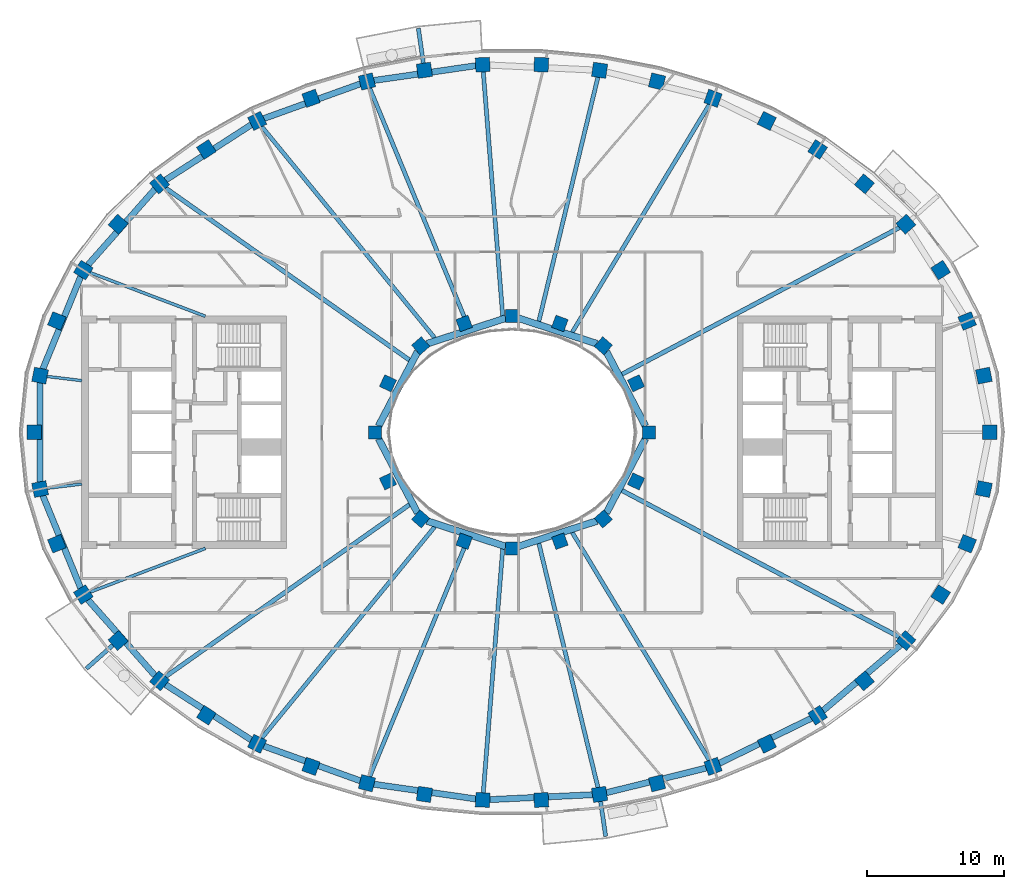
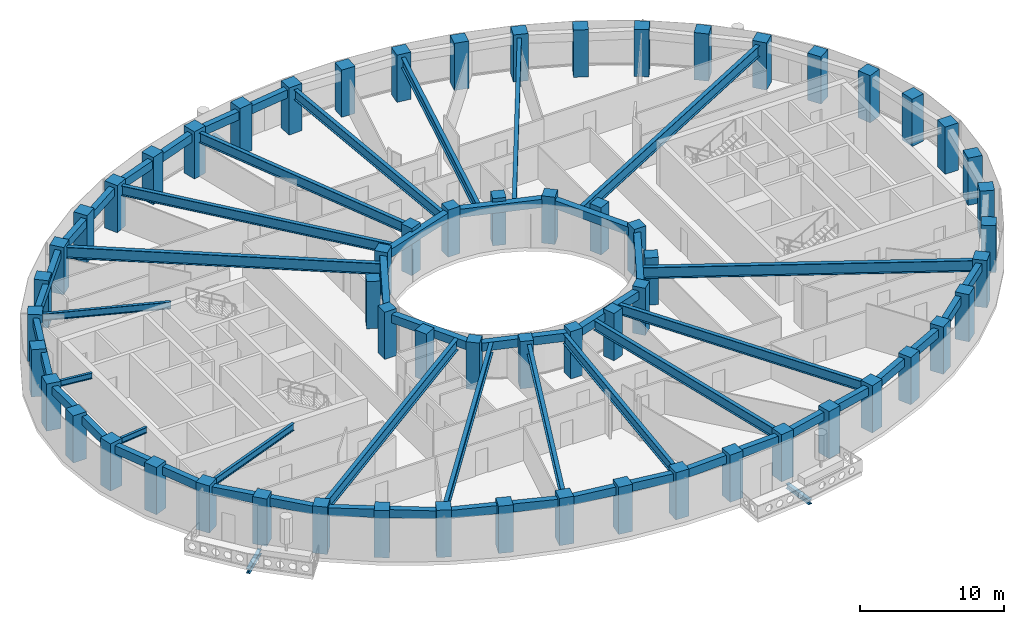
# One storey, part 1 of 17: 62 columns, 44 beams.
"""IFC4 building model written with IfcOpenShell, lengths in metres."""

from ifc_helpers import new_model, si_unit, direction, frame, origin, origin_2d, place, context, subcontext, project, spatial, rectangle, i_section, extrude, material, material_profile, profile_set, type_object, element, save


model = new_model("IFC4")

# Units and contexts
model_context = context("Model", 3, precision=1e-05, world=origin(), true_north=direction((0.0, 1.0)))
body_context = subcontext(model_context, "Body", "Model", "MODEL_VIEW")
ifc_project = project(units=[si_unit("LENGTHUNIT", "METRE"), si_unit("AREAUNIT", "SQUARE_METRE"), si_unit("VOLUMEUNIT", "CUBIC_METRE"), si_unit("PLANEANGLEUNIT", "RADIAN"), si_unit("MASSUNIT", "GRAM", prefix="KILO")], contexts=[model_context])

# Site, building, storey
site_placement = place(None, origin())
site = spatial("IfcSite", under=ifc_project, at=site_placement, CompositionType="ELEMENT")
building_placement = place(site_placement, origin())
building = spatial("IfcBuilding", under=site, at=building_placement, Name="Noorbagh Ring Tower", CompositionType="ELEMENT")
storey_placement = place(building_placement, frame((0.0, 0.0, 269.5)))
storey = spatial("IfcBuildingStorey", under=building, at=storey_placement, Name="L57", CompositionType="ELEMENT", Elevation=269.5)

# Columns
ifc_material_1 = material(Name="Concrete C50/60", Category="concrete")
ifc_material_profile_1 = material_profile(ifc_material_1, rectangle(XDim=1.050048828125, YDim=1.050048828125, at=origin_2d()), Name="RC1050x1050")
ifc_profile_set_1 = profile_set([ifc_material_profile_1], Name="Concrete C50/60")
column_type_1 = type_object("IfcColumnType", Name="STR-COL-RC1050x1050-C50-60", PredefinedType="COLUMN", material=ifc_profile_set_1)
for number, where, z_axis, x_axis, name in (
    (1, (34.944580078125, 0.0, 0.0), (0.0, 0.0, 1.0), (0.0, 1.0, 0.0), "L57/col/R1-01"),
    (2, (34.52685546875, 4.150634765625, 0.0), (0.0, 0.0, 1.0), (-0.19723040178, 0.9803571638, 0.0), "L57/col/R1-02"),
    (3, (33.30517578125, 8.1494140625, 0.0), (0.0, 0.0, 1.0), (-0.378989499959, 0.925400971969, 0.0), "L57/col/R1-03"),
    (4, (31.364990234375, 11.87109375, 0.0), (0.0, 0.0, 1.0), (-0.535190403059, 0.844731455833, 0.0), "L57/col/R1-04"),
    (5, (28.81884765625, 15.23046875, 0.0), (0.0, 0.0, 1.0), (-0.662635642662, 0.748941923699, 0.0), "L57/col/R1-05"),
    (6, (25.78271484375, 18.180419921875, 0.0), (0.0, 0.0, 1.0), (-0.763035199656, 0.646356932419, 0.0), "L57/col/R1-06"),
    (7, (22.362060546875, 20.699951171875, 0.0), (0.0, 0.0, 1.0), (-0.840247639643, 0.542202825586, 0.0), "L57/col/R1-07"),
    (8, (18.646240234375, 22.785400390625, 0.0), (0.0, 0.0, 1.0), (-0.898399080868, 0.439180021741, 0.0), "L57/col/R1-08"),
    (9, (14.70947265625, 24.44091796875, 0.0), (0.0, 0.0, 1.0), (-0.941024726094, 0.338337797003, 0.0), "L57/col/R1-09"),
    (10, (10.61328125, 25.673583984375, 0.0), (0.0, 0.0, 1.0), (-0.970829360981, 0.239771457553, 0.0), "L57/col/R1-10"),
    (11, (6.4091796875, 26.49072265625, 0.0), (0.0, 0.0, 1.0), (-0.989713114048, 0.143066249975, 0.0), "L57/col/R1-11"),
    (12, (2.14306640625, 26.89794921875, 0.0), (0.0, 0.0, 1.0), (-0.998868731212, 0.047552684538, 0.0), "L57/col/R1-12"),
    (13, (-2.14306640625, 26.89794921875, 0.0), (0.0, 0.0, 1.0), (-0.998868731212, -0.047552684538, 0.0), "L57/col/R1-13"),
    (14, (-6.4091796875, 26.49072265625, 0.0), (0.0, 0.0, 1.0), (-0.989713114048, -0.143066249975, 0.0), "L57/col/R1-14"),
    (15, (-10.61328125, 25.673583984375, 0.0), (0.0, 0.0, 1.0), (-0.970829360981, -0.239771457553, 0.0), "L57/col/R1-15"),
    (16, (-14.70947265625, 24.44091796875, 0.0), (0.0, 0.0, 1.0), (-0.941024726094, -0.338337797003, 0.0), "L57/col/R1-16"),
    (17, (-18.646240234375, 22.785400390625, 0.0), (0.0, 0.0, 1.0), (-0.898399080868, -0.439180021741, 0.0), "L57/col/R1-17"),
    (18, (-22.362060546875, 20.699951171875, 0.0), (0.0, 0.0, 1.0), (-0.840247639643, -0.542202825586, 0.0), "L57/col/R1-18"),
    (19, (-25.78271484375, 18.180419921875, 0.0), (0.0, 0.0, 1.0), (-0.763035199656, -0.646356932419, 0.0), "L57/col/R1-19"),
    (20, (-28.81884765625, 15.23046875, 0.0), (0.0, 0.0, 1.0), (-0.662635642662, -0.748941923699, 0.0), "L57/col/R1-20"),
    (21, (-31.364990234375, 11.87109375, 0.0), (0.0, 0.0, 1.0), (-0.535190403059, -0.844731455833, 0.0), "L57/col/R1-21"),
    (22, (-33.30517578125, 8.1494140625, 0.0), (0.0, 0.0, 1.0), (-0.378989499959, -0.925400971969, 0.0), "L57/col/R1-22"),
    (23, (-34.52685546875, 4.150634765625, 0.0), (0.0, 0.0, 1.0), (-0.19723040178, -0.9803571638, 0.0), "L57/col/R1-23"),
    (24, (-34.944580078125, 0.0, 0.0), (0.0, 0.0, 1.0), (0.0, -1.0, 0.0), "L57/col/R1-24"),
    (25, (-34.52685546875, -4.150634765625, 0.0), (0.0, 0.0, 1.0), (0.19723040178, -0.9803571638, 0.0), "L57/col/R1-25"),
    (26, (-33.30517578125, -8.1494140625, 0.0), (0.0, 0.0, 1.0), (0.378989499959, -0.925400971969, 0.0), "L57/col/R1-26"),
    (27, (-31.364990234375, -11.87109375, 0.0), (0.0, 0.0, 1.0), (0.535190403059, -0.844731455833, 0.0), "L57/col/R1-27"),
    (28, (-28.81884765625, -15.23046875, 0.0), (0.0, 0.0, 1.0), (0.662635642662, -0.748941923699, 0.0), "L57/col/R1-28"),
    (29, (-25.78271484375, -18.180419921875, 0.0), (0.0, 0.0, 1.0), (0.763035199656, -0.646356932419, 0.0), "L57/col/R1-29"),
    (30, (-22.362060546875, -20.699951171875, 0.0), (0.0, 0.0, 1.0), (0.840247639643, -0.542202825586, 0.0), "L57/col/R1-30"),
    (31, (-18.646240234375, -22.785400390625, 0.0), (0.0, 0.0, 1.0), (0.898399080868, -0.439180021741, 0.0), "L57/col/R1-31"),
    (32, (-14.70947265625, -24.44091796875, 0.0), (0.0, 0.0, 1.0), (0.941024726094, -0.338337797003, 0.0), "L57/col/R1-32"),
    (33, (-10.61328125, -25.673583984375, 0.0), (0.0, 0.0, 1.0), (0.970829360981, -0.239771457553, 0.0), "L57/col/R1-33"),
    (34, (-6.4091796875, -26.49072265625, 0.0), (0.0, 0.0, 1.0), (0.989713114048, -0.143066249975, 0.0), "L57/col/R1-34"),
    (35, (-2.14306640625, -26.89794921875, 0.0), (0.0, 0.0, 1.0), (0.998868731212, -0.047552684538, 0.0), "L57/col/R1-35"),
    (36, (2.14306640625, -26.89794921875, 0.0), (0.0, 0.0, 1.0), (0.998868731212, 0.047552684538, 0.0), "L57/col/R1-36"),
    (37, (6.4091796875, -26.49072265625, 0.0), (0.0, 0.0, 1.0), (0.989713114048, 0.143066249975, 0.0), "L57/col/R1-37"),
    (38, (10.61328125, -25.673583984375, 0.0), (0.0, 0.0, 1.0), (0.970829360981, 0.239771457553, 0.0), "L57/col/R1-38"),
    (39, (14.70947265625, -24.44091796875, 0.0), (0.0, 0.0, 1.0), (0.941024726094, 0.338337797003, 0.0), "L57/col/R1-39"),
    (40, (18.646240234375, -22.785400390625, 0.0), (0.0, 0.0, 1.0), (0.898399080868, 0.439180021741, 0.0), "L57/col/R1-40"),
    (41, (22.362060546875, -20.699951171875, 0.0), (0.0, 0.0, 1.0), (0.840247639643, 0.542202825586, 0.0), "L57/col/R1-41"),
    (42, (25.78271484375, -18.180419921875, 0.0), (0.0, 0.0, 1.0), (0.763035199656, 0.646356932419, 0.0), "L57/col/R1-42"),
    (43, (28.81884765625, -15.23046875, 0.0), (0.0, 0.0, 1.0), (0.662635642662, 0.748941923699, 0.0), "L57/col/R1-43"),
    (44, (31.364990234375, -11.87109375, 0.0), (0.0, 0.0, 1.0), (0.535190403059, 0.844731455833, 0.0), "L57/col/R1-44"),
    (45, (33.30517578125, -8.1494140625, 0.0), (0.0, 0.0, 1.0), (0.378989499959, 0.925400971969, 0.0), "L57/col/R1-45"),
    (46, (34.52685546875, -4.150634765625, 0.0), (0.0, 0.0, 1.0), (0.19723040178, 0.9803571638, 0.0), "L57/col/R1-46"),
):
    element("IfcColumn", number, at=place(storey_placement, frame(where, z_axis=z_axis, x_axis=x_axis)), inside=storey, type_object=column_type_1, Name=name, PredefinedType="COLUMN", context=body_context, shape_type="SweptSolid", body=[
        extrude(rectangle(XDim=1.050048828125, YDim=1.050048828125, at=origin_2d()), origin(), (0.0, 0.0, 1.0), 4.0),
    ])
ifc_material_2 = material(Name="Concrete C50/60", Category="concrete")
ifc_material_profile_2 = material_profile(ifc_material_2, rectangle(XDim=0.949951171875, YDim=0.949951171875, at=origin_2d()), Name="RC950x950")
ifc_profile_set_2 = profile_set([ifc_material_profile_2], Name="Concrete C50/60")
column_type_2 = type_object("IfcColumnType", Name="STR-ICOL-RC950x950-C50-60", PredefinedType="COLUMN", material=ifc_profile_set_2)
for number, where, z_axis, x_axis, name in (
    (47, (10.00830078125, 0.0, 0.0), (0.0, 0.0, 1.0), (0.0, 1.0, 0.0), "L57/col/IR2-W01"),
    (48, (9.07568359375, 3.58837890625, 0.0), (0.0, 0.0, 1.0), (-0.428666979171, 0.903462573087, 0.0), "L57/col/IR2-W03"),
    (49, (6.68212890625, 6.333740234375, 0.0), (0.0, 0.0, 1.0), (-0.75102249095, 0.660276622399, 0.0), "L57/col/IR2-W05"),
    (50, (3.5009765625, 7.967041015625, 0.0), (0.0, 0.0, 1.0), (-0.939019578916, 0.343863679984, 0.0), "L57/col/IR2-W07"),
    (51, (0.0, 8.5029296875, 0.0), (0.0, 0.0, 1.0), (-1.0, 0.0, 0.0), "L57/col/IR2-W09"),
    (52, (-3.5009765625, 7.967041015625, 0.0), (0.0, 0.0, 1.0), (-0.939019578916, -0.343863679984, 0.0), "L57/col/IR2-W11"),
    (53, (-6.68212890625, 6.333740234375, 0.0), (0.0, 0.0, 1.0), (-0.75102249095, -0.660276622399, 0.0), "L57/col/IR2-W13"),
    (54, (-9.07568359375, 3.58837890625, 0.0), (0.0, 0.0, 1.0), (-0.428666979171, -0.903462573087, 0.0), "L57/col/IR2-W15"),
    (55, (-10.00830078125, 0.0, 0.0), (0.0, 0.0, 1.0), (0.0, -1.0, 0.0), "L57/col/IR2-W17"),
    (56, (-9.07568359375, -3.58837890625, 0.0), (0.0, 0.0, 1.0), (0.428666979171, -0.903462573087, 0.0), "L57/col/IR2-W19"),
    (57, (-6.68212890625, -6.333740234375, 0.0), (0.0, 0.0, 1.0), (0.75102249095, -0.660276622399, 0.0), "L57/col/IR2-W21"),
    (58, (-3.5009765625, -7.967041015625, 0.0), (0.0, 0.0, 1.0), (0.939019578916, -0.343863679984, 0.0), "L57/col/IR2-W23"),
    (59, (0.0, -8.5029296875, 0.0), (0.0, 0.0, 1.0), (1.0, 0.0, 0.0), "L57/col/IR2-W25"),
    (60, (3.5009765625, -7.967041015625, 0.0), (0.0, 0.0, 1.0), (0.939019578916, 0.343863679984, 0.0), "L57/col/IR2-W27"),
    (61, (6.68212890625, -6.333740234375, 0.0), (0.0, 0.0, 1.0), (0.75102249095, 0.660276622399, 0.0), "L57/col/IR2-W29"),
    (62, (9.07568359375, -3.58837890625, 0.0), (0.0, 0.0, 1.0), (0.428666979171, 0.903462573087, 0.0), "L57/col/IR2-W31"),
):
    element("IfcColumn", number, at=place(storey_placement, frame(where, z_axis=z_axis, x_axis=x_axis)), inside=storey, type_object=column_type_2, Name=name, PredefinedType="COLUMN", context=body_context, shape_type="SweptSolid", body=[
        extrude(rectangle(XDim=0.949951171875, YDim=0.949951171875, at=origin_2d()), origin(), (0.0, 0.0, 1.0), 4.0),
    ])

# Beams
ifc_material_3 = material(Name="Steel S355", Category="steel")
ifc_material_profile_3 = material_profile(ifc_material_3, i_section(OverallWidth=0.300048828125, OverallDepth=0.39990234375, WebThickness=0.013427734375, FlangeThickness=0.02392578125, FilletRadius=0.027099609375, at=origin_2d()), Name="HEB400")
ifc_profile_set_3 = profile_set([ifc_material_profile_3], Name="Steel S355")
beam_type_1 = type_object("IfcBeamType", Name="STR-BALCONY-BRACKET-HEB400", PredefinedType="BEAM", material=ifc_profile_set_3)
beam_1_placement = place(storey_placement, frame((-6.4814453125, 26.99072265625, -0.5), z_axis=(-0.143078349205, 0.989711364989, 0.0), x_axis=(-0.989711364989, -0.143078349205, 0.0)))
element("IfcBeam", 63, at=beam_1_placement, inside=storey, type_object=beam_type_1, Name="Balcony bracket beam BN04", PredefinedType="BEAM", context=body_context, shape_type="SweptSolid", body=[
    extrude(i_section(OverallWidth=0.300048828125, OverallDepth=0.39990234375, WebThickness=0.013427734375, FlangeThickness=0.02392578125, FilletRadius=0.027099609375, at=origin_2d()), origin(), (0.0, 0.0, 1.0), 2.598876953125),
])
beam_2_placement = place(storey_placement, frame((-29.197021484375, -15.565185546875, -0.5), z_axis=(-0.749087807423, -0.662470721444, 0.0), x_axis=(0.662470721444, -0.749087807423, 0.0)))
element("IfcBeam", 64, at=beam_2_placement, inside=storey, type_object=beam_type_1, Name="Balcony bracket beam BS01", PredefinedType="BEAM", context=body_context, shape_type="SweptSolid", body=[
    extrude(i_section(OverallWidth=0.300048828125, OverallDepth=0.39990234375, WebThickness=0.013427734375, FlangeThickness=0.02392578125, FilletRadius=0.027099609375, at=origin_2d()), origin(), (0.0, 0.0, 1.0), 2.6044921875),
])
beam_3_placement = place(storey_placement, frame((6.4814453125, -26.99072265625, -0.5), z_axis=(0.143078349205, -0.989711364989, 0.0), x_axis=(0.989711364989, 0.143078349205, 0.0)))
element("IfcBeam", 65, at=beam_3_placement, inside=storey, type_object=beam_type_1, Name="Balcony bracket beam BS04", PredefinedType="BEAM", context=body_context, shape_type="SweptSolid", body=[
    extrude(i_section(OverallWidth=0.300048828125, OverallDepth=0.39990234375, WebThickness=0.013427734375, FlangeThickness=0.02392578125, FilletRadius=0.027099609375, at=origin_2d()), origin(), (0.0, 0.0, 1.0), 2.598876953125),
])
ifc_material_4 = material(Name="Steel S355", Category="steel")
ifc_material_profile_4 = material_profile(ifc_material_4, i_section(OverallWidth=0.199951171875, OverallDepth=0.5, WebThickness=0.01025390625, FlangeThickness=0.01611328125, FilletRadius=0.02099609375, at=origin_2d()), Name="IPE500")
ifc_profile_set_4 = profile_set([ifc_material_profile_4], Name="Steel S355")
beam_type_2 = type_object("IfcBeamType", Name="STR-RAD-IPE500", PredefinedType="BEAM", material=ifc_profile_set_4)
for number, where, z_axis, x_axis, name in (
    (66, (-34.023681640625, 4.090087890625, 3.449951171875), (0.992856079473, -0.119318085189, 0.0), (0.119318085189, 0.992856079473, 0.0), "L57/bm/RD23"),
    (67, (-34.023681640625, -4.090087890625, 3.449951171875), (0.992856079473, 0.119318085189, 0.0), (-0.119318085189, 0.992856079473, 0.0), "L57/bm/RD25"),
):
    element("IfcBeam", number, at=place(storey_placement, frame(where, z_axis=z_axis, x_axis=x_axis)), inside=storey, type_object=beam_type_2, Name=name, PredefinedType="BEAM", context=body_context, shape_type="SweptSolid", body=[
        extrude(i_section(OverallWidth=0.199951171875, OverallDepth=0.5, WebThickness=0.01025390625, FlangeThickness=0.01611328125, FilletRadius=0.02099609375, at=origin_2d()), origin(), (0.0, 0.0, 1.0), 2.561767578125),
    ])
ifc_material_5 = material(Name="Steel S355", Category="steel")
ifc_material_profile_5 = material_profile(ifc_material_5, i_section(OverallWidth=0.219970703125, OverallDepth=0.60009765625, WebThickness=0.011962890625, FlangeThickness=0.01904296875, FilletRadius=0.02392578125, at=origin_2d()), Name="IPE600")
ifc_profile_set_5 = profile_set([ifc_material_profile_5], Name="Steel S355")
beam_type_3 = type_object("IfcBeamType", Name="STR-RAD-IPE600", PredefinedType="BEAM", material=ifc_profile_set_5)
for number, where, z_axis, x_axis, name in (
    (68, (-30.88232421875, 11.688232421875, 3.39990234375), (0.93525673757, -0.353970104431, 0.0), (0.353970104431, 0.93525673757, 0.0), "L57/bm/RD21"),
    (69, (-30.88232421875, -11.688232421875, 3.39990234375), (0.93525673757, 0.353970104431, 0.0), (-0.353970104431, 0.93525673757, 0.0), "L57/bm/RD27"),
):
    element("IfcBeam", number, at=place(storey_placement, frame(where, z_axis=z_axis, x_axis=x_axis)), inside=storey, type_object=beam_type_3, Name=name, PredefinedType="BEAM", context=body_context, shape_type="SweptSolid", body=[
        extrude(i_section(OverallWidth=0.219970703125, OverallDepth=0.60009765625, WebThickness=0.011962890625, FlangeThickness=0.01904296875, FilletRadius=0.02392578125, at=origin_2d()), origin(), (0.0, 0.0, 1.0), 9.027099609375),
    ])
ifc_material_6 = material(Name="Steel S355", Category="steel")
ifc_material_profile_6 = material_profile(ifc_material_6, i_section(OverallWidth=0.300048828125, OverallDepth=0.85009765625, WebThickness=0.013916015625, FlangeThickness=0.028076171875, at=origin_2d()), Name="PG850x300x14x28")
ifc_profile_set_6 = profile_set([ifc_material_profile_6], Name="Steel S355")
beam_type_4 = type_object("IfcBeamType", Name="STR-RAD-PG850x300x14x28", PredefinedType="BEAM", material=ifc_profile_set_6)
beam_4_placement = place(storey_placement, frame((14.44384765625, 23.999267578125, 3.27490234375), z_axis=(-0.515656906989, -0.856795164712, 0.0), x_axis=(0.856795164712, -0.515656906989, 0.0)))
element("IfcBeam", 70, at=beam_4_placement, inside=storey, type_object=beam_type_4, Name="L57/bm/RD09", PredefinedType="BEAM", context=body_context, shape_type="SweptSolid", body=[
    extrude(i_section(OverallWidth=0.300048828125, OverallDepth=0.85009765625, WebThickness=0.013916015625, FlangeThickness=0.028076171875, at=origin_2d()), origin(), (0.0, 0.0, 1.0), 19.471923828125),
])
beam_5_placement = place(storey_placement, frame((6.2900390625, 25.997802734375, 3.27490234375), z_axis=(-0.23516000693, -0.971956671432, 0.0), x_axis=(0.971956671432, -0.23516000693, 0.0)))
element("IfcBeam", 71, at=beam_5_placement, inside=storey, type_object=beam_type_4, Name="L57/bm/RD11", PredefinedType="BEAM", context=body_context, shape_type="SweptSolid", body=[
    extrude(i_section(OverallWidth=0.300048828125, OverallDepth=0.85009765625, WebThickness=0.013916015625, FlangeThickness=0.028076171875, at=origin_2d()), origin(), (0.0, 0.0, 1.0), 18.406005859375),
])
beam_6_placement = place(storey_placement, frame((-2.10302734375, 26.394287109375, 3.27490234375), z_axis=(0.079426932636, -0.996840690568, 0.0), x_axis=(0.996840690568, 0.079426932636, 0.0)))
element("IfcBeam", 72, at=beam_6_placement, inside=storey, type_object=beam_type_4, Name="L57/bm/RD13", PredefinedType="BEAM", context=body_context, shape_type="SweptSolid", body=[
    extrude(i_section(OverallWidth=0.300048828125, OverallDepth=0.85009765625, WebThickness=0.013916015625, FlangeThickness=0.028076171875, at=origin_2d()), origin(), (0.0, 0.0, 1.0), 17.92626953125),
])
beam_7_placement = place(storey_placement, frame((-10.41796875, 25.201416015625, 3.27490234375), z_axis=(0.382034660206, -0.924147995941, 0.0), x_axis=(0.924147995941, 0.382034660206, 0.0)))
element("IfcBeam", 73, at=beam_7_placement, inside=storey, type_object=beam_type_4, Name="L57/bm/RD15", PredefinedType="BEAM", context=body_context, shape_type="SweptSolid", body=[
    extrude(i_section(OverallWidth=0.300048828125, OverallDepth=0.85009765625, WebThickness=0.013916015625, FlangeThickness=0.028076171875, at=origin_2d()), origin(), (0.0, 0.0, 1.0), 18.9267578125),
])
for number, where, z_axis, x_axis, name in (
    (74, (-18.3173828125, 22.383544921875, 3.27490234375), (0.633312925982, -0.77389581843, 0.0), (0.77389581843, 0.633312925982, 0.0), "L57/bm/RD17"),
    (75, (-18.3173828125, -22.383544921875, 3.27490234375), (0.633312925982, 0.77389581843, 0.0), (-0.77389581843, 0.633312925982, 0.0), "L57/bm/RD31"),
):
    element("IfcBeam", number, at=place(storey_placement, frame(where, z_axis=z_axis, x_axis=x_axis)), inside=storey, type_object=beam_type_4, Name=name, PredefinedType="BEAM", context=body_context, shape_type="SweptSolid", body=[
        extrude(i_section(OverallWidth=0.300048828125, OverallDepth=0.85009765625, WebThickness=0.013916015625, FlangeThickness=0.028076171875, at=origin_2d()), origin(), (0.0, 0.0, 1.0), 19.993896484375),
    ])
beam_8_placement = place(storey_placement, frame((-10.41796875, -25.201416015625, 3.27490234375), z_axis=(0.382034660206, 0.924147995941, 0.0), x_axis=(-0.924147995941, 0.382034660206, 0.0)))
element("IfcBeam", 76, at=beam_8_placement, inside=storey, type_object=beam_type_4, Name="L57/bm/RD33", PredefinedType="BEAM", context=body_context, shape_type="SweptSolid", body=[
    extrude(i_section(OverallWidth=0.300048828125, OverallDepth=0.85009765625, WebThickness=0.013916015625, FlangeThickness=0.028076171875, at=origin_2d()), origin(), (0.0, 0.0, 1.0), 18.9267578125),
])
beam_9_placement = place(storey_placement, frame((-2.10302734375, -26.394287109375, 3.27490234375), z_axis=(0.079426932636, 0.996840690568, 0.0), x_axis=(-0.996840690568, 0.079426932636, 0.0)))
element("IfcBeam", 77, at=beam_9_placement, inside=storey, type_object=beam_type_4, Name="L57/bm/RD35", PredefinedType="BEAM", context=body_context, shape_type="SweptSolid", body=[
    extrude(i_section(OverallWidth=0.300048828125, OverallDepth=0.85009765625, WebThickness=0.013916015625, FlangeThickness=0.028076171875, at=origin_2d()), origin(), (0.0, 0.0, 1.0), 17.92626953125),
])
beam_10_placement = place(storey_placement, frame((6.2900390625, -25.997802734375, 3.27490234375), z_axis=(-0.23516000693, 0.971956671432, 0.0), x_axis=(-0.971956671432, -0.23516000693, 0.0)))
element("IfcBeam", 78, at=beam_10_placement, inside=storey, type_object=beam_type_4, Name="L57/bm/RD37", PredefinedType="BEAM", context=body_context, shape_type="SweptSolid", body=[
    extrude(i_section(OverallWidth=0.300048828125, OverallDepth=0.85009765625, WebThickness=0.013916015625, FlangeThickness=0.028076171875, at=origin_2d()), origin(), (0.0, 0.0, 1.0), 18.406005859375),
])
beam_11_placement = place(storey_placement, frame((14.44384765625, -23.999267578125, 3.27490234375), z_axis=(-0.515656906989, 0.856795164712, 0.0), x_axis=(-0.856795164712, -0.515656906989, 0.0)))
element("IfcBeam", 79, at=beam_11_placement, inside=storey, type_object=beam_type_4, Name="L57/bm/RD39", PredefinedType="BEAM", context=body_context, shape_type="SweptSolid", body=[
    extrude(i_section(OverallWidth=0.300048828125, OverallDepth=0.85009765625, WebThickness=0.013916015625, FlangeThickness=0.028076171875, at=origin_2d()), origin(), (0.0, 0.0, 1.0), 19.471923828125),
])
ifc_material_7 = material(Name="Steel S355", Category="steel")
ifc_material_profile_7 = material_profile(ifc_material_7, i_section(OverallWidth=0.320068359375, OverallDepth=0.949951171875, WebThickness=0.01611328125, FlangeThickness=0.030029296875, at=origin_2d()), Name="PG950x320x16x30")
ifc_profile_set_7 = profile_set([ifc_material_profile_7], Name="Steel S355")
beam_type_5 = type_object("IfcBeamType", Name="STR-RAD-PG950x320x16x30", PredefinedType="BEAM", material=ifc_profile_set_7)
beam_12_placement = place(storey_placement, frame((28.35888671875, 14.9873046875, 3.22509765625), z_axis=(-0.884128728226, -0.467243396878, 0.0), x_axis=(0.467243396878, -0.884128728226, 0.0)))
element("IfcBeam", 80, at=beam_12_placement, inside=storey, type_object=beam_type_5, Name="L57/bm/RD05", PredefinedType="BEAM", context=body_context, shape_type="SweptSolid", body=[
    extrude(i_section(OverallWidth=0.320068359375, OverallDepth=0.949951171875, WebThickness=0.01611328125, FlangeThickness=0.030029296875, at=origin_2d()), origin(), (0.0, 0.0, 1.0), 22.98486328125),
])
for number, where, z_axis, x_axis, name in (
    (81, (-25.355712890625, 17.87939453125, 3.22509765625), (0.817252873121, -0.57627922171, 0.0), (0.57627922171, 0.817252873121, 0.0), "L57/bm/RD19"),
    (82, (-25.355712890625, -17.87939453125, 3.22509765625), (0.817252873121, 0.57627922171, 0.0), (-0.57627922171, 0.817252873121, 0.0), "L57/bm/RD29"),
):
    element("IfcBeam", number, at=place(storey_placement, frame(where, z_axis=z_axis, x_axis=x_axis)), inside=storey, type_object=beam_type_5, Name=name, PredefinedType="BEAM", context=body_context, shape_type="SweptSolid", body=[
        extrude(i_section(OverallWidth=0.320068359375, OverallDepth=0.949951171875, WebThickness=0.01611328125, FlangeThickness=0.030029296875, at=origin_2d()), origin(), (0.0, 0.0, 1.0), 21.8564453125),
    ])
beam_13_placement = place(storey_placement, frame((28.35888671875, -14.9873046875, 3.22509765625), z_axis=(-0.884128728226, 0.467243396878, 0.0), x_axis=(-0.467243396878, -0.884128728226, 0.0)))
element("IfcBeam", 83, at=beam_13_placement, inside=storey, type_object=beam_type_5, Name="L57/bm/RD43", PredefinedType="BEAM", context=body_context, shape_type="SweptSolid", body=[
    extrude(i_section(OverallWidth=0.320068359375, OverallDepth=0.949951171875, WebThickness=0.01611328125, FlangeThickness=0.030029296875, at=origin_2d()), origin(), (0.0, 0.0, 1.0), 22.98486328125),
])
ifc_material_8 = material(Name="Concrete C40/50", Category="concrete")
ifc_material_profile_8 = material_profile(ifc_material_8, rectangle(XDim=0.5, YDim=0.699951171875, at=origin_2d()), Name="RC500x700")
ifc_profile_set_8 = profile_set([ifc_material_profile_8], Name="Concrete C40/50")
beam_type_6 = type_object("IfcBeamType", Name="STR-RB-RC500x700-C40-50", PredefinedType="BEAM", material=ifc_profile_set_8)
beam_14_placement = place(storey_placement, frame((9.768310546875, 0.457275390625, 3.35009765625), z_axis=(-0.464944392106, 0.885339885157, 0.0), x_axis=(-0.885339885157, -0.464944392106, 0.0)))
element("IfcBeam", 84, at=beam_14_placement, inside=storey, type_object=beam_type_6, Name="L57/bm/RG01", PredefinedType="BEAM", context=body_context, shape_type="SweptSolid", body=[
    extrude(rectangle(XDim=0.5, YDim=0.699951171875, at=origin_2d()), origin(), (0.0, 0.0, 1.0), 6.14892578125),
])
for number, where, z_axis, x_axis, name in (
    (85, (6.209228515625, 6.4873046875, 3.35009765625), (-0.951148201425, 0.308734673995, 0.0), (-0.308734673995, -0.951148201425, 0.0), "L57/bm/RG03"),
    (86, (-0.4560546875, 8.354736328125, 3.35009765625), (-0.951148201425, -0.308734673995, 0.0), (0.308734673995, -0.951148201425, 0.0), "L57/bm/RG05"),
):
    element("IfcBeam", number, at=place(storey_placement, frame(where, z_axis=z_axis, x_axis=x_axis)), inside=storey, type_object=beam_type_6, Name=name, PredefinedType="BEAM", context=body_context, shape_type="SweptSolid", body=[
        extrude(rectangle(XDim=0.5, YDim=0.699951171875, at=origin_2d()), origin(), (0.0, 0.0, 1.0), 6.048583984375),
    ])
for number, where, z_axis, x_axis, name in (
    (87, (-6.909423828125, 5.901123046875, 3.35009765625), (-0.464944392106, -0.885339885157, 0.0), (0.885339885157, -0.464944392106, 0.0), "L57/bm/RG07"),
    (88, (-9.768310546875, -0.457275390625, 3.35009765625), (0.464944392106, -0.885339885157, 0.0), (0.885339885157, 0.464944392106, 0.0), "L57/bm/RG09"),
):
    element("IfcBeam", number, at=place(storey_placement, frame(where, z_axis=z_axis, x_axis=x_axis)), inside=storey, type_object=beam_type_6, Name=name, PredefinedType="BEAM", context=body_context, shape_type="SweptSolid", body=[
        extrude(rectangle(XDim=0.5, YDim=0.699951171875, at=origin_2d()), origin(), (0.0, 0.0, 1.0), 6.14892578125),
    ])
for number, where, z_axis, x_axis, name in (
    (89, (-6.209228515625, -6.4873046875, 3.35009765625), (0.951148201425, -0.308734673995, 0.0), (0.308734673995, 0.951148201425, 0.0), "L57/bm/RG11"),
    (90, (0.4560546875, -8.354736328125, 3.35009765625), (0.951148201425, 0.308734673995, 0.0), (-0.308734673995, 0.951148201425, 0.0), "L57/bm/RG13"),
):
    element("IfcBeam", number, at=place(storey_placement, frame(where, z_axis=z_axis, x_axis=x_axis)), inside=storey, type_object=beam_type_6, Name=name, PredefinedType="BEAM", context=body_context, shape_type="SweptSolid", body=[
        extrude(rectangle(XDim=0.5, YDim=0.699951171875, at=origin_2d()), origin(), (0.0, 0.0, 1.0), 6.048583984375),
    ])
beam_15_placement = place(storey_placement, frame((6.909423828125, -5.901123046875, 3.35009765625), z_axis=(0.464944392106, 0.885339885157, 0.0), x_axis=(-0.885339885157, 0.464944392106, 0.0)))
element("IfcBeam", 91, at=beam_15_placement, inside=storey, type_object=beam_type_6, Name="L57/bm/RG15", PredefinedType="BEAM", context=body_context, shape_type="SweptSolid", body=[
    extrude(rectangle(XDim=0.5, YDim=0.699951171875, at=origin_2d()), origin(), (0.0, 0.0, 1.0), 6.14892578125),
])
ifc_material_9 = material(Name="Concrete C40/50", Category="concrete")
ifc_material_profile_9 = material_profile(ifc_material_9, rectangle(XDim=0.449951171875, YDim=0.699951171875, at=origin_2d()), Name="RC450x700")
ifc_profile_set_9 = profile_set([ifc_material_profile_9], Name="Concrete C40/50")
beam_type_7 = type_object("IfcBeamType", Name="STR-SB-RC450x700-C40-50", PredefinedType="BEAM", material=ifc_profile_set_9)
beam_16_placement = place(storey_placement, frame((-2.6455078125, 26.825439453125, 3.35009765625), z_axis=(-0.989713798568, -0.143061514477, 0.0), x_axis=(0.143061514477, -0.989713798568, 0.0)))
element("IfcBeam", 92, at=beam_16_placement, inside=storey, type_object=beam_type_7, Name="L57/bm/SP13", PredefinedType="BEAM", context=body_context, shape_type="SweptSolid", body=[
    extrude(rectangle(XDim=0.449951171875, YDim=0.699951171875, at=origin_2d()), origin(), (0.0, 0.0, 1.0), 7.54296875),
])
beam_17_placement = place(storey_placement, frame((-11.091064453125, 25.501708984375, 3.35009765625), z_axis=(-0.941025143763, -0.33833663533, 0.0), x_axis=(0.33833663533, -0.941025143763, 0.0)))
element("IfcBeam", 93, at=beam_17_placement, inside=storey, type_object=beam_type_7, Name="L57/bm/SP15", PredefinedType="BEAM", context=body_context, shape_type="SweptSolid", body=[
    extrude(rectangle(XDim=0.449951171875, YDim=0.699951171875, at=origin_2d()), origin(), (0.0, 0.0, 1.0), 7.5205078125),
])
beam_18_placement = place(storey_placement, frame((-19.07373046875, 22.509521484375, 3.35009765625), z_axis=(-0.840252970371, -0.542194564509, 0.0), x_axis=(0.542194564509, -0.840252970371, 0.0)))
element("IfcBeam", 94, at=beam_18_placement, inside=storey, type_object=beam_type_7, Name="L57/bm/SP17", PredefinedType="BEAM", context=body_context, shape_type="SweptSolid", body=[
    extrude(rectangle(XDim=0.449951171875, YDim=0.699951171875, at=origin_2d()), origin(), (0.0, 0.0, 1.0), 7.47509765625),
])
beam_19_placement = place(storey_placement, frame((-26.12109375, 17.798095703125, 3.35009765625), z_axis=(-0.662613733697, -0.748961307356, 0.0), x_axis=(0.748961307356, -0.662613733697, 0.0)))
element("IfcBeam", 95, at=beam_19_placement, inside=storey, type_object=beam_type_7, Name="L57/bm/SP19", PredefinedType="BEAM", context=body_context, shape_type="SweptSolid", body=[
    extrude(rectangle(XDim=0.449951171875, YDim=0.699951171875, at=origin_2d()), origin(), (0.0, 0.0, 1.0), 7.402099609375),
])
beam_20_placement = place(storey_placement, frame((-31.5595703125, 11.39599609375, 3.35009765625), z_axis=(-0.378991512565, -0.925400147722, 0.0), x_axis=(0.925400147722, -0.378991512565, 0.0)))
element("IfcBeam", 96, at=beam_20_placement, inside=storey, type_object=beam_type_7, Name="L57/bm/SP21", PredefinedType="BEAM", context=body_context, shape_type="SweptSolid", body=[
    extrude(rectangle(XDim=0.449951171875, YDim=0.699951171875, at=origin_2d()), origin(), (0.0, 0.0, 1.0), 7.314697265625),
])
beam_21_placement = place(storey_placement, frame((-34.52685546875, 3.63525390625, 3.35009765625), z_axis=(0.0, -1.0, 0.0), x_axis=(1.0, 0.0, 0.0)))
element("IfcBeam", 97, at=beam_21_placement, inside=storey, type_object=beam_type_7, Name="L57/bm/SP23", PredefinedType="BEAM", context=body_context, shape_type="SweptSolid", body=[
    extrude(rectangle(XDim=0.449951171875, YDim=0.699951171875, at=origin_2d()), origin(), (0.0, 0.0, 1.0), 7.2705078125),
])
beam_22_placement = place(storey_placement, frame((-34.331787109375, -4.626953125, 3.35009765625), z_axis=(0.378991512565, -0.925400147722, 0.0), x_axis=(0.925400147722, 0.378991512565, 0.0)))
element("IfcBeam", 98, at=beam_22_placement, inside=storey, type_object=beam_type_7, Name="L57/bm/SP25", PredefinedType="BEAM", context=body_context, shape_type="SweptSolid", body=[
    extrude(rectangle(XDim=0.449951171875, YDim=0.699951171875, at=origin_2d()), origin(), (0.0, 0.0, 1.0), 7.314697265625),
])
beam_23_placement = place(storey_placement, frame((-31.02587890625, -12.254150390625, 3.35009765625), z_axis=(0.662613733697, -0.748961307356, 0.0), x_axis=(0.748961307356, 0.662613733697, 0.0)))
element("IfcBeam", 99, at=beam_23_placement, inside=storey, type_object=beam_type_7, Name="L57/bm/SP27", PredefinedType="BEAM", context=body_context, shape_type="SweptSolid", body=[
    extrude(rectangle(XDim=0.449951171875, YDim=0.699951171875, at=origin_2d()), origin(), (0.0, 0.0, 1.0), 7.402099609375),
])
beam_24_placement = place(storey_placement, frame((-25.354736328125, -18.45654296875, 3.35009765625), z_axis=(0.840252970371, -0.542194564509, 0.0), x_axis=(0.542194564509, 0.840252970371, 0.0)))
element("IfcBeam", 100, at=beam_24_placement, inside=storey, type_object=beam_type_7, Name="L57/bm/SP29", PredefinedType="BEAM", context=body_context, shape_type="SweptSolid", body=[
    extrude(rectangle(XDim=0.449951171875, YDim=0.699951171875, at=origin_2d()), origin(), (0.0, 0.0, 1.0), 7.47509765625),
])
beam_25_placement = place(storey_placement, frame((-18.16796875, -22.957275390625, 3.35009765625), z_axis=(0.941025143763, -0.33833663533, 0.0), x_axis=(0.33833663533, 0.941025143763, 0.0)))
element("IfcBeam", 101, at=beam_25_placement, inside=storey, type_object=beam_type_7, Name="L57/bm/SP31", PredefinedType="BEAM", context=body_context, shape_type="SweptSolid", body=[
    extrude(rectangle(XDim=0.449951171875, YDim=0.699951171875, at=origin_2d()), origin(), (0.0, 0.0, 1.0), 7.5205078125),
])
beam_26_placement = place(storey_placement, frame((-10.11083984375, -25.746337890625, 3.35009765625), z_axis=(0.989713798568, -0.143061514477, 0.0), x_axis=(0.143061514477, 0.989713798568, 0.0)))
element("IfcBeam", 102, at=beam_26_placement, inside=storey, type_object=beam_type_7, Name="L57/bm/SP33", PredefinedType="BEAM", context=body_context, shape_type="SweptSolid", body=[
    extrude(rectangle(XDim=0.449951171875, YDim=0.699951171875, at=origin_2d()), origin(), (0.0, 0.0, 1.0), 7.54296875),
])
beam_27_placement = place(storey_placement, frame((-1.636474609375, -26.873779296875, 3.35009765625), z_axis=(0.998868796295, 0.047551317418, 0.0), x_axis=(-0.047551317418, 0.998868796295, 0.0)))
element("IfcBeam", 103, at=beam_27_placement, inside=storey, type_object=beam_type_7, Name="L57/bm/SP35", PredefinedType="BEAM", context=body_context, shape_type="SweptSolid", body=[
    extrude(rectangle(XDim=0.449951171875, YDim=0.699951171875, at=origin_2d()), origin(), (0.0, 0.0, 1.0), 7.54736328125),
])
beam_28_placement = place(storey_placement, frame((6.902099609375, -26.369140625, 3.35009765625), z_axis=(0.970832363292, 0.239759300935, 0.0), x_axis=(-0.239759300935, 0.970832363292, 0.0)))
element("IfcBeam", 104, at=beam_28_placement, inside=storey, type_object=beam_type_7, Name="L57/bm/SP37", PredefinedType="BEAM", context=body_context, shape_type="SweptSolid", body=[
    extrude(rectangle(XDim=0.449951171875, YDim=0.699951171875, at=origin_2d()), origin(), (0.0, 0.0, 1.0), 7.5341796875),
])
beam_29_placement = place(storey_placement, frame((15.166015625, -24.2177734375, 3.35009765625), z_axis=(0.898394634575, 0.439189117087, 0.0), x_axis=(-0.439189117087, 0.898394634575, 0.0)))
element("IfcBeam", 105, at=beam_29_placement, inside=storey, type_object=beam_type_7, Name="L57/bm/SP39", PredefinedType="BEAM", context=body_context, shape_type="SweptSolid", body=[
    extrude(rectangle(XDim=0.449951171875, YDim=0.699951171875, at=origin_2d()), origin(), (0.0, 0.0, 1.0), 7.501220703125),
])
beam_30_placement = place(storey_placement, frame((22.750732421875, -20.37060546875, 3.35009765625), z_axis=(0.76304148439, 0.646349513111, 0.0), x_axis=(-0.646349513111, 0.76304148439, 0.0)))
element("IfcBeam", 106, at=beam_30_placement, inside=storey, type_object=beam_type_7, Name="L57/bm/SP41", PredefinedType="BEAM", context=body_context, shape_type="SweptSolid", body=[
    extrude(rectangle(XDim=0.449951171875, YDim=0.699951171875, at=origin_2d()), origin(), (0.0, 0.0, 1.0), 7.44189453125),
])

save(model, "model.ifc")
